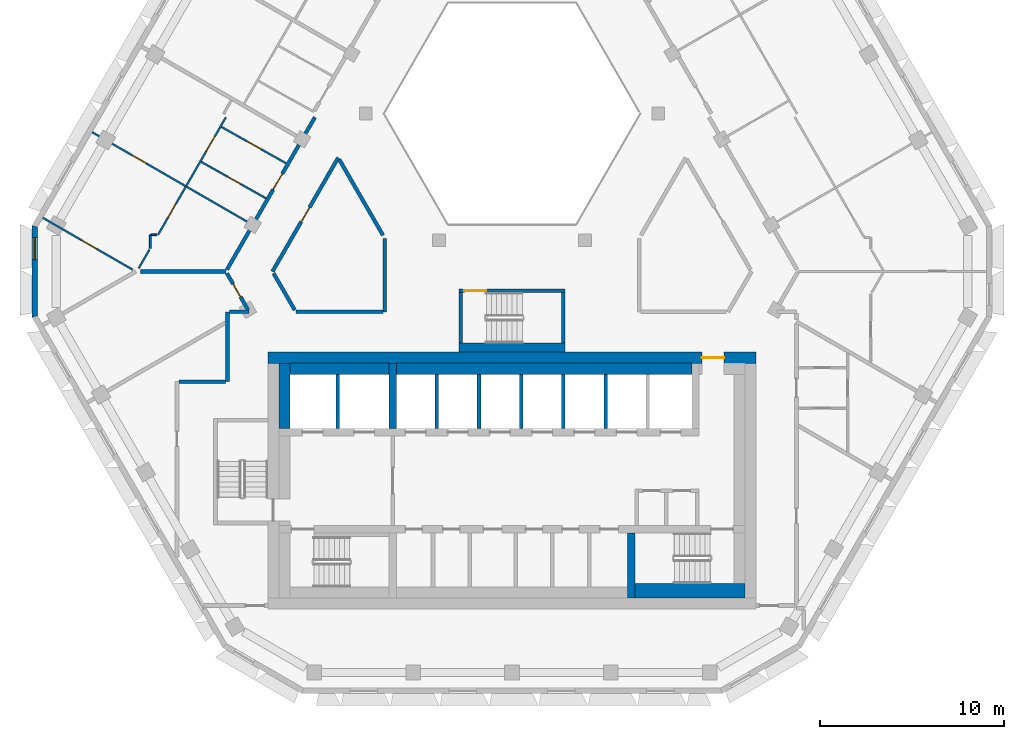
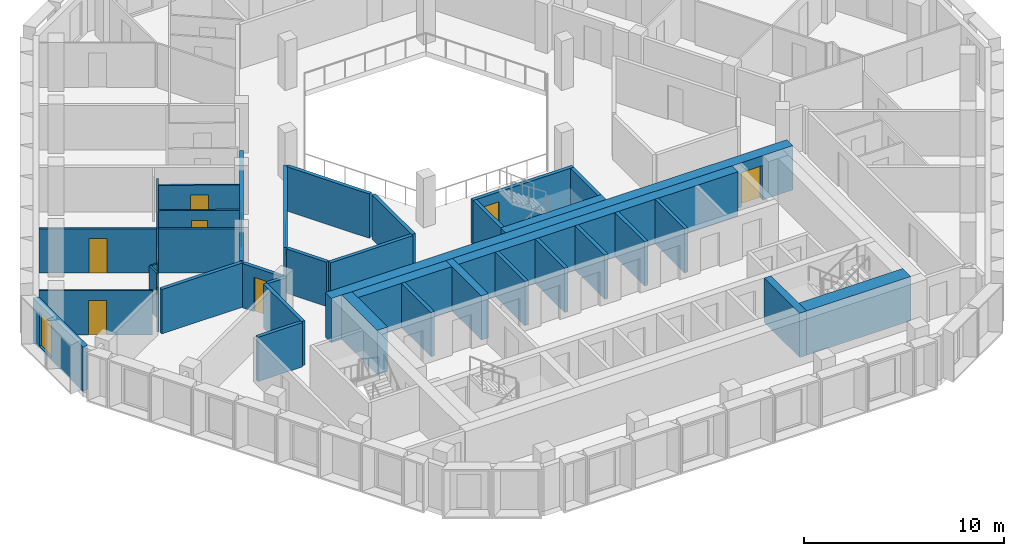
# One storey, part 4 of 15: 38 walls, 11 doors, 1 window, 12 openings.
"""IFC4 building model written with IfcOpenShell, lengths in metres."""

from ifc_helpers import new_model, si_unit, direction, frame, frame_2d, origin, place, context, subcontext, project, spatial, polyline, rectangle, outline, extrude, material, layer, layer_set, type_object, element, fill, save


model = new_model("IFC4")

# Units and contexts
model_context = context("Model", 3, precision=1e-05, world=origin(), true_north=direction((0.0, 1.0)))
body_context = subcontext(model_context, "Body", "Model", "MODEL_VIEW")
ifc_project = project(units=[si_unit("LENGTHUNIT", "METRE"), si_unit("AREAUNIT", "SQUARE_METRE"), si_unit("VOLUMEUNIT", "CUBIC_METRE"), si_unit("PLANEANGLEUNIT", "RADIAN"), si_unit("MASSUNIT", "GRAM", prefix="KILO")], contexts=[model_context])

# Site, building, storey
site_placement = place(None, origin())
site = spatial("IfcSite", under=ifc_project, at=site_placement, CompositionType="ELEMENT")
building_placement = place(site_placement, origin())
building = spatial("IfcBuilding", under=site, at=building_placement, Name="Beryl Residences", CompositionType="ELEMENT")
storey_placement = place(building_placement, frame((0.0, 0.0, 169.199951171875)))
storey = spatial("IfcBuildingStorey", under=building, at=storey_placement, Name="L51", CompositionType="ELEMENT", Elevation=169.199951171875)

# Wall, opening, window
ifc_material_1 = material(Name="Composite metal panel with mineral wool insulation")
ifc_layer_1 = layer(ifc_material_1, 0.300048828125)
ifc_layer_set_1 = layer_set([ifc_layer_1], Name="ES1 pale metal composite panel wall 300 mm")
wall_type_1 = type_object("IfcWallType", Name="ES1 pale metal composite panel wall 300 mm", PredefinedType="SOLIDWALL", material=ifc_layer_set_1)
wall_1_placement = place(storey_placement, frame((-26.00390625, 1.89990234375, 0.0), z_axis=(0.0, 0.0, 1.0), x_axis=(0.0, -1.0, 0.0)))
wall_1 = element("IfcWall", 1, at=wall_1_placement, inside=storey, type_object=wall_type_1, Name="ES1 external wall L51 NW-SW", PredefinedType="SOLIDWALL", context=body_context, shape_type="SweptSolid", body=[
    extrude(outline(polyline([(0.0, -0.14990234375), (5.0, -0.14990234375), (4.919677734375, 0.14990234375), (0.080322265625, 0.14990234375), (0.0, -0.14990234375)])), origin(), (0.0, 0.0, 1.0), 2.699951171875),
])
opening_1_placement = place(wall_1_placement, frame((0.64990234375, 0.0, 0.14990234375)))
opening_1 = element("IfcOpeningElement", 2, at=opening_1_placement, cuts=wall_1, Name="Opening W2", PredefinedType="OPENING", context=body_context, shape_type="SweptSolid", body=[
    extrude(rectangle(XDim=1.199951171875, YDim=2.10009765625, at=frame_2d((0.60009765625, 1.050048828125))), frame((0.0, 0.159912109375, 0.0), z_axis=(0.0, -1.0, 0.0), x_axis=(1.0, 0.0, 0.0)), (0.0, 0.0, 1.0), 0.320068359375),
])
ifc_material_2 = material(Name="Aluminium and clear glass", Category="aluminium")
window_type = type_object("IfcWindowType", Name="W2 chamfer window 1200 x 2100 mm", PartitioningType="SINGLE_PANEL", PredefinedType="WINDOW", material=ifc_material_2)
window_placement = place(opening_1_placement, origin())
window = element("IfcWindow", 3, at=window_placement, inside=storey, type_object=window_type, Name="W2 window L51 NW-SW 1", OverallHeight=2.10009765625, OverallWidth=1.199951171875, PartitioningType="SINGLE_PANEL", PredefinedType="WINDOW", context=body_context, shape_type="SweptSolid", body=[
    extrude(rectangle(XDim=1.199951171875, YDim=2.10009765625, at=frame_2d((0.60009765625, 1.050048828125))), frame((0.0, 0.030029296875, 0.0), z_axis=(0.0, -1.0, 0.0), x_axis=(1.0, 0.0, 0.0)), (0.0, 0.0, 1.0), 0.06005859375),
])
fill(opening_1, window)

# Wall, opening, door
ifc_material_3 = material(Name="Gypsum board partition on steel studs", Category="steel")
ifc_layer_2 = layer(ifc_material_3, 0.10009765625)
ifc_layer_set_2 = layer_set([ifc_layer_2], Name="PT1 partition 100 mm gypsum board on steel studs")
wall_type_2 = type_object("IfcWallType", Name="PT1 partition 100 mm gypsum board on steel studs", PredefinedType="PARTITIONING", material=ifc_layer_set_2)
wall_2_placement = place(storey_placement, frame((-16.931884765625, 5.3720703125, 0.0), z_axis=(0.0, 0.0, 1.0), x_axis=(0.871514356952, -0.490369988505, 0.0)))
wall_2 = element("IfcWall", 4, at=wall_2_placement, inside=storey, type_object=wall_type_2, Name="Wall PT1 L51 010", PredefinedType="PARTITIONING", context=body_context, shape_type="SweptSolid", body=[
    extrude(rectangle(XDim=4.05029296875, YDim=0.10009765625, at=frame_2d((2.025146484375, 0.0))), origin(), (0.0, 0.0, 1.0), 2.699951171875),
])
opening_2_placement = place(wall_2_placement, frame((1.64990234375, 0.0, 0.0)))
opening_2 = element("IfcOpeningElement", 5, at=opening_2_placement, cuts=wall_2, Name="Opening D1603", PredefinedType="OPENING", context=body_context, shape_type="SweptSolid", body=[
    extrude(rectangle(XDim=0.800048828125, YDim=2.10009765625, at=frame_2d((0.39990234375, 1.050048828125))), frame((0.0, 0.06005859375, 0.0), z_axis=(0.0, -1.0, 0.0), x_axis=(1.0, 0.0, 0.0)), (0.0, 0.0, 1.0), 0.1201171875),
])
ifc_material_4 = material(Name="Timber door leaf", Category="wood")
door_type_1 = type_object("IfcDoorType", Name="D3 bathroom door 800 x 2100 mm", OperationType="SINGLE_SWING_LEFT", PredefinedType="DOOR", material=ifc_material_4)
door_1_placement = place(opening_2_placement, origin())
door_1 = element("IfcDoor", 6, at=door_1_placement, inside=storey, type_object=door_type_1, Name="Door D1603 L51 001", OperationType="SINGLE_SWING_LEFT", OverallHeight=2.10009765625, OverallWidth=0.800048828125, PredefinedType="DOOR", context=body_context, shape_type="SweptSolid", body=[
    extrude(rectangle(XDim=0.800048828125, YDim=2.10009765625, at=frame_2d((0.39990234375, 1.050048828125))), frame((0.0, 0.02490234375, 0.0), z_axis=(0.0, -1.0, 0.0), x_axis=(1.0, 0.0, 0.0)), (0.0, 0.0, 1.0), 0.050048828125),
])
fill(opening_2, door_1)

wall_3_placement = place(storey_placement, frame((-15.83203125, 7.277099609375, 0.0), z_axis=(0.0, 0.0, 1.0), x_axis=(0.871528850672, -0.490344228523, 0.0)))
wall_3 = element("IfcWall", 7, at=wall_3_placement, inside=storey, type_object=wall_type_2, Name="Wall PT1 L51 011", PredefinedType="PARTITIONING", context=body_context, shape_type="SweptSolid", body=[
    extrude(rectangle(XDim=4.05029296875, YDim=0.10009765625, at=frame_2d((2.025146484375, 0.0))), origin(), (0.0, 0.0, 1.0), 2.699951171875),
])
opening_3_placement = place(wall_3_placement, frame((1.60009765625, 0.0, 0.0)))
opening_3 = element("IfcOpeningElement", 8, at=opening_3_placement, cuts=wall_3, Name="Opening D1602", PredefinedType="OPENING", context=body_context, shape_type="SweptSolid", body=[
    extrude(rectangle(XDim=0.89990234375, YDim=2.10009765625, at=frame_2d((0.449951171875, 1.050048828125))), frame((0.0, 0.06005859375, 0.0), z_axis=(0.0, -1.0, 0.0), x_axis=(1.0, 0.0, 0.0)), (0.0, 0.0, 1.0), 0.1201171875),
])
ifc_material_5 = material(Name="Timber door leaf", Category="wood")
door_type_2 = type_object("IfcDoorType", Name="D2 room door 900 x 2100 mm", OperationType="SINGLE_SWING_LEFT", PredefinedType="DOOR", material=ifc_material_5)
door_2_placement = place(opening_3_placement, origin())
door_2 = element("IfcDoor", 9, at=door_2_placement, inside=storey, type_object=door_type_2, Name="Door D1602 L51 001", OperationType="SINGLE_SWING_RIGHT", OverallHeight=2.10009765625, OverallWidth=0.89990234375, PredefinedType="DOOR", context=body_context, shape_type="SweptSolid", body=[
    extrude(rectangle(XDim=0.89990234375, YDim=2.10009765625, at=frame_2d((0.449951171875, 1.050048828125))), frame((0.0, 0.02490234375, 0.0), z_axis=(0.0, -1.0, 0.0), x_axis=(1.0, 0.0, 0.0)), (0.0, 0.0, 1.0), 0.050048828125),
])
fill(opening_3, door_2)

wall_4_placement = place(storey_placement, frame((-22.8701171875, 6.987060546875, 0.0), z_axis=(0.0, 0.0, 1.0), x_axis=(0.866022959057, -0.500004234368, 0.0)))
wall_4 = element("IfcWall", 10, at=wall_4_placement, inside=storey, type_object=wall_type_2, Name="Wall PT1 L51 012", PredefinedType="PARTITIONING", context=body_context, shape_type="SweptSolid", body=[
    extrude(rectangle(XDim=10.0, YDim=0.10009765625, at=frame_2d((5.0, 0.0))), origin(), (0.0, 0.0, 1.0), 2.699951171875),
])
opening_4_placement = place(wall_4_placement, frame((2.5, 0.0, 0.0)))
opening_4 = element("IfcOpeningElement", 11, at=opening_4_placement, cuts=wall_4, Name="Opening D1605", PredefinedType="OPENING", context=body_context, shape_type="SweptSolid", body=[
    extrude(rectangle(XDim=0.89990234375, YDim=2.10009765625, at=frame_2d((0.449951171875, 1.050048828125))), frame((0.0, 0.06005859375, 0.0), z_axis=(0.0, -1.0, 0.0), x_axis=(1.0, 0.0, 0.0)), (0.0, 0.0, 1.0), 0.1201171875),
])
door_3_placement = place(opening_4_placement, origin())
door_3 = element("IfcDoor", 12, at=door_3_placement, inside=storey, type_object=door_type_2, Name="Door D1605 L51 001", OperationType="SINGLE_SWING_LEFT", OverallHeight=2.10009765625, OverallWidth=0.89990234375, PredefinedType="DOOR", context=body_context, shape_type="SweptSolid", body=[
    extrude(rectangle(XDim=0.89990234375, YDim=2.10009765625, at=frame_2d((0.449951171875, 1.050048828125))), frame((0.0, 0.02490234375, 0.0), z_axis=(0.0, -1.0, 0.0), x_axis=(1.0, 0.0, 0.0)), (0.0, 0.0, 1.0), 0.050048828125),
])
fill(opening_4, door_3)

wall_5_placement = place(storey_placement, frame((-25.56201171875, 2.324951171875, 0.0), z_axis=(0.0, 0.0, 1.0), x_axis=(0.865998530728, -0.500046542611, 0.0)))
wall_5 = element("IfcWall", 13, at=wall_5_placement, inside=storey, type_object=wall_type_2, Name="Wall PT1 L51 013", PredefinedType="PARTITIONING", context=body_context, shape_type="SweptSolid", body=[
    extrude(rectangle(XDim=5.6513671875, YDim=0.10009765625, at=frame_2d((2.82568359375, 0.0))), origin(), (0.0, 0.0, 1.0), 2.699951171875),
])
opening_5_placement = place(wall_5_placement, frame((2.47607421875, 0.0, 0.0)))
opening_5 = element("IfcOpeningElement", 14, at=opening_5_placement, cuts=wall_5, Name="Opening D1606", PredefinedType="OPENING", context=body_context, shape_type="SweptSolid", body=[
    extrude(rectangle(XDim=0.89990234375, YDim=2.10009765625, at=frame_2d((0.449951171875, 1.050048828125))), frame((0.0, 0.06005859375, 0.0), z_axis=(0.0, -1.0, 0.0), x_axis=(1.0, 0.0, 0.0)), (0.0, 0.0, 1.0), 0.1201171875),
])
door_4_placement = place(opening_5_placement, origin())
door_4 = element("IfcDoor", 15, at=door_4_placement, inside=storey, type_object=door_type_2, Name="Door D1606 L51 001", OperationType="SINGLE_SWING_RIGHT", OverallHeight=2.10009765625, OverallWidth=0.89990234375, PredefinedType="DOOR", context=body_context, shape_type="SweptSolid", body=[
    extrude(rectangle(XDim=0.89990234375, YDim=2.10009765625, at=frame_2d((0.449951171875, 1.050048828125))), frame((0.0, 0.02490234375, 0.0), z_axis=(0.0, -1.0, 0.0), x_axis=(1.0, 0.0, 0.0)), (0.0, 0.0, 1.0), 0.050048828125),
])
fill(opening_5, door_4)

# Walls
wall_6_placement = place(storey_placement, frame((-19.64990234375, 1.39990234375, 0.0), z_axis=(0.0, 0.0, 1.0), x_axis=(1.0, 0.0, 0.0)))
element("IfcWall", 16, at=wall_6_placement, inside=storey, type_object=wall_type_2, Name="Wall PT1 L51 021", PredefinedType="PARTITIONING", context=body_context, shape_type="SweptSolid", body=[
    extrude(rectangle(XDim=0.308837890625, YDim=0.10009765625, at=frame_2d((0.154296875, 0.0))), origin(), (0.0, 0.0, 1.0), 2.699951171875),
])
wall_7_placement = place(storey_placement, frame((-20.337890625, -0.427001953125, 0.0), z_axis=(0.0, 0.0, 1.0), x_axis=(0.500069990121, 0.865984991198, 0.0)))
element("IfcWall", 17, at=wall_7_placement, inside=storey, type_object=wall_type_2, Name="Wall PT1 L51 028", PredefinedType="PARTITIONING", context=body_context, shape_type="SweptSolid", body=[
    extrude(rectangle(XDim=1.175537109375, YDim=0.10009765625, at=frame_2d((0.587890625, 0.0))), origin(), (0.0, 0.0, 1.0), 2.699951171875),
])

# Wall, opening, door
wall_8_placement = place(storey_placement, frame((-19.282958984375, 1.39990234375, 0.0), z_axis=(0.0, 0.0, 1.0), x_axis=(0.499847391584, 0.866113494368, 0.0)))
wall_8 = element("IfcWall", 18, at=wall_8_placement, inside=storey, type_object=wall_type_2, Name="Wall PT1 L51 029", PredefinedType="PARTITIONING", context=body_context, shape_type="SweptSolid", body=[
    extrude(rectangle(XDim=3.044921875, YDim=0.10009765625, at=frame_2d((1.5224609375, 0.0))), origin(), (0.0, 0.0, 1.0), 2.699951171875),
])
opening_6_placement = place(wall_8_placement, frame((1.123046875, 0.0, 0.0)))
opening_6 = element("IfcOpeningElement", 19, at=opening_6_placement, cuts=wall_8, Name="Opening D1607", PredefinedType="OPENING", context=body_context, shape_type="SweptSolid", body=[
    extrude(rectangle(XDim=0.800048828125, YDim=2.10009765625, at=frame_2d((0.39990234375, 1.050048828125))), frame((0.0, 0.06005859375, 0.0), z_axis=(0.0, -1.0, 0.0), x_axis=(1.0, 0.0, 0.0)), (0.0, 0.0, 1.0), 0.1201171875),
])
door_5_placement = place(opening_6_placement, origin())
door_5 = element("IfcDoor", 20, at=door_5_placement, inside=storey, type_object=door_type_1, Name="Door D1607 L51 001", OperationType="SINGLE_SWING_LEFT", OverallHeight=2.10009765625, OverallWidth=0.800048828125, PredefinedType="DOOR", context=body_context, shape_type="SweptSolid", body=[
    extrude(rectangle(XDim=0.800048828125, YDim=2.10009765625, at=frame_2d((0.39990234375, 1.050048828125))), frame((0.0, 0.02490234375, 0.0), z_axis=(0.0, -1.0, 0.0), x_axis=(1.0, 0.0, 0.0)), (0.0, 0.0, 1.0), 0.050048828125),
])
fill(opening_6, door_5)

# Wall
wall_9_placement = place(storey_placement, frame((-19.699951171875, 0.677978515625, 0.0), z_axis=(0.0, 0.0, 1.0), x_axis=(0.0, 1.0, 0.0)))
element("IfcWall", 21, at=wall_9_placement, inside=storey, type_object=wall_type_2, Name="Wall PT1 L51 039", PredefinedType="PARTITIONING", context=body_context, shape_type="SweptSolid", body=[
    extrude(rectangle(XDim=0.721923828125, YDim=0.10009765625, at=frame_2d((0.36083984375, 0.0))), origin(), (0.0, 0.0, 1.0), 2.699951171875),
])

# Wall, opening, door
wall_10_placement = place(storey_placement, frame((-17.760986328125, 4.037109375, 0.0), z_axis=(0.0, 0.0, 1.0), x_axis=(0.50009692756, 0.865969435399, 0.0)))
wall_10 = element("IfcWall", 22, at=wall_10_placement, inside=storey, type_object=wall_type_2, Name="Wall PT1 L51 046", PredefinedType="PARTITIONING", context=body_context, shape_type="SweptSolid", body=[
    extrude(rectangle(XDim=4.345458984375, YDim=0.10009765625, at=frame_2d((2.1728515625, 0.0))), origin(), (0.0, 0.0, 1.0), 2.699951171875),
])
opening_7_placement = place(wall_10_placement, frame((2.219970703125, 0.0, 0.0)))
opening_7 = element("IfcOpeningElement", 23, at=opening_7_placement, cuts=wall_10, Name="Opening D1604", PredefinedType="OPENING", context=body_context, shape_type="SweptSolid", body=[
    extrude(rectangle(XDim=0.89990234375, YDim=2.10009765625, at=frame_2d((0.449951171875, 1.050048828125))), frame((0.0, 0.06005859375, 0.0), z_axis=(0.0, -1.0, 0.0), x_axis=(1.0, 0.0, 0.0)), (0.0, 0.0, 1.0), 0.1201171875),
])
door_6_placement = place(opening_7_placement, origin())
door_6 = element("IfcDoor", 24, at=door_6_placement, inside=storey, type_object=door_type_2, Name="Door D1604 L51 001", OperationType="SINGLE_SWING_RIGHT", OverallHeight=2.10009765625, OverallWidth=0.89990234375, PredefinedType="DOOR", context=body_context, shape_type="SweptSolid", body=[
    extrude(rectangle(XDim=0.89990234375, YDim=2.10009765625, at=frame_2d((0.449951171875, 1.050048828125))), frame((0.0, 0.02490234375, 0.0), z_axis=(0.0, -1.0, 0.0), x_axis=(1.0, 0.0, 0.0)), (0.0, 0.0, 1.0), 0.050048828125),
])
fill(opening_7, door_6)

# Walls
ifc_material_6 = material(Name="Acoustic double stud gypsum board wall")
ifc_layer_3 = layer(ifc_material_6, 0.199951171875)
ifc_layer_set_3 = layer_set([ifc_layer_3], Name="PT3 party wall 200 mm acoustic double stud")
wall_type_3 = type_object("IfcWallType", Name="PT3 party wall 200 mm acoustic double stud", PredefinedType="PARTITIONING", material=ifc_layer_set_3)
wall_11_placement = place(storey_placement, frame((-20.238037109375, -0.60107421875, 0.0), z_axis=(0.0, 0.0, 1.0), x_axis=(1.0, 0.0, 0.0)))
element("IfcWall", 25, at=wall_11_placement, inside=storey, type_object=wall_type_3, Name="Wall PT3 L51 007", PredefinedType="PARTITIONING", context=body_context, shape_type="SweptSolid", body=[
    extrude(rectangle(XDim=4.650146484375, YDim=0.199951171875, at=frame_2d((2.3251953125, 0.0))), origin(), (0.0, 0.0, 1.0), 2.699951171875),
])
ifc_material_7 = material(Name="Double stud gypsum board wall")
ifc_layer_4 = layer(ifc_material_7, 0.199951171875)
ifc_layer_set_4 = layer_set([ifc_layer_4], Name="PT4 corridor wall 200 mm double stud")
wall_type_4 = type_object("IfcWallType", Name="PT4 corridor wall 200 mm double stud", PredefinedType="PARTITIONING", material=ifc_layer_set_4)
wall_12_placement = place(storey_placement, frame((-9.410888671875, 5.5, 0.0), z_axis=(0.0, 0.0, 1.0), x_axis=(0.500018099276, -0.86601495391, 0.0)))
element("IfcWall", 26, at=wall_12_placement, inside=storey, type_object=wall_type_4, Name="Wall PT4 L51 001", PredefinedType="PARTITIONING", context=body_context, shape_type="SweptSolid", body=[
    extrude(rectangle(XDim=4.765380859375, YDim=0.199951171875, at=frame_2d((2.3828125, 0.0))), origin(), (0.0, 0.0, 1.0), 2.699951171875),
])
wall_13_placement = place(storey_placement, frame((-12.989990234375, -0.700927734375, 0.0), z_axis=(0.0, 0.0, 1.0), x_axis=(0.499972710878, -0.866041158593, 0.0)))
element("IfcWall", 27, at=wall_13_placement, inside=storey, type_object=wall_type_4, Name="Wall PT4 L51 002", PredefinedType="PARTITIONING", context=body_context, shape_type="SweptSolid", body=[
    extrude(rectangle(XDim=2.308349609375, YDim=0.199951171875, at=frame_2d((1.154296875, 0.0))), origin(), (0.0, 0.0, 1.0), 2.699951171875),
])

# Wall, opening, door
wall_14_placement = place(storey_placement, frame((-15.530029296875, -0.700927734375, 0.0), z_axis=(0.0, 0.0, 1.0), x_axis=(0.499972710878, -0.866041158593, 0.0)))
wall_14 = element("IfcWall", 28, at=wall_14_placement, inside=storey, type_object=wall_type_4, Name="Wall PT4 L51 003", PredefinedType="PARTITIONING", context=body_context, shape_type="SweptSolid", body=[
    extrude(rectangle(XDim=2.308349609375, YDim=0.199951171875, at=frame_2d((1.154296875, 0.0))), origin(), (0.0, 0.0, 1.0), 2.699951171875),
])
opening_8_placement = place(wall_14_placement, frame((0.674072265625, 0.0, 0.0)))
opening_8 = element("IfcOpeningElement", 29, at=opening_8_placement, cuts=wall_14, Name="Opening D1608", PredefinedType="OPENING", context=body_context, shape_type="SweptSolid", body=[
    extrude(rectangle(XDim=0.800048828125, YDim=2.10009765625, at=frame_2d((0.39990234375, 1.050048828125))), frame((0.0, 0.10986328125, 0.0), z_axis=(0.0, -1.0, 0.0), x_axis=(1.0, 0.0, 0.0)), (0.0, 0.0, 1.0), 0.219970703125),
])
door_7_placement = place(opening_8_placement, origin())
door_7 = element("IfcDoor", 30, at=door_7_placement, inside=storey, type_object=door_type_1, Name="Door D1608 L51 001", OperationType="SINGLE_SWING_RIGHT", OverallHeight=2.10009765625, OverallWidth=0.800048828125, PredefinedType="DOOR", context=body_context, shape_type="SweptSolid", body=[
    extrude(rectangle(XDim=0.800048828125, YDim=2.10009765625, at=frame_2d((0.39990234375, 1.050048828125))), frame((0.0, 0.02490234375, 0.0), z_axis=(0.0, -1.0, 0.0), x_axis=(1.0, 0.0, 0.0)), (0.0, 0.0, 1.0), 0.050048828125),
])
fill(opening_8, door_7)

# Walls
wall_15_placement = place(storey_placement, frame((-18.14892578125, -6.60009765625, 0.0), z_axis=(0.0, 0.0, 1.0), x_axis=(1.0, 0.0, 0.0)))
element("IfcWall", 31, at=wall_15_placement, inside=storey, type_object=wall_type_4, Name="Wall PT4 L51 008", PredefinedType="PARTITIONING", context=body_context, shape_type="SweptSolid", body=[
    extrude(rectangle(XDim=2.548828125, YDim=0.199951171875, at=frame_2d((1.2744140625, 0.0))), origin(), (0.0, 0.0, 1.0), 2.699951171875),
])
wall_16_placement = place(storey_placement, frame((-15.39892578125, -2.800048828125, 0.0), z_axis=(0.0, 0.0, 1.0), x_axis=(1.0, 0.0, 0.0)))
element("IfcWall", 32, at=wall_16_placement, inside=storey, type_object=wall_type_4, Name="Wall PT4 L51 010", PredefinedType="PARTITIONING", context=body_context, shape_type="SweptSolid", body=[
    extrude(rectangle(XDim=1.080810546875, YDim=0.199951171875, at=frame_2d((0.54052734375, 0.0))), origin(), (0.0, 0.0, 1.0), 2.699951171875),
])
wall_17_placement = place(storey_placement, frame((-11.778076171875, -2.800048828125, 0.0), z_axis=(0.0, 0.0, 1.0), x_axis=(1.0, 0.0, 0.0)))
element("IfcWall", 33, at=wall_17_placement, inside=storey, type_object=wall_type_4, Name="Wall PT4 L51 011", PredefinedType="PARTITIONING", context=body_context, shape_type="SweptSolid", body=[
    extrude(rectangle(XDim=4.75, YDim=0.199951171875, at=frame_2d((2.375, 0.0))), origin(), (0.0, 0.0, 1.0), 2.699951171875),
])

# Wall, opening, door
wall_18_placement = place(storey_placement, frame((-13.048095703125, -0.60107421875, 0.0), z_axis=(0.0, 0.0, 1.0), x_axis=(0.499982180423, 0.866035691677, 0.0)))
wall_18 = element("IfcWall", 34, at=wall_18_placement, inside=storey, type_object=wall_type_4, Name="Wall PT4 L51 018", PredefinedType="PARTITIONING", context=body_context, shape_type="SweptSolid", body=[
    extrude(rectangle(XDim=7.160400390625, YDim=0.199951171875, at=frame_2d((3.580078125, 0.0))), origin(), (0.0, 0.0, 1.0), 2.699951171875),
])
opening_9_placement = place(wall_18_placement, frame((3.1298828125, 0.0, 0.0)))
opening_9 = element("IfcOpeningElement", 35, at=opening_9_placement, cuts=wall_18, Name="Opening D1642", PredefinedType="OPENING", context=body_context, shape_type="SweptSolid", body=[
    extrude(rectangle(XDim=0.89990234375, YDim=2.10009765625, at=frame_2d((0.449951171875, 1.050048828125))), frame((0.0, 0.10986328125, 0.0), z_axis=(0.0, -1.0, 0.0), x_axis=(1.0, 0.0, 0.0)), (0.0, 0.0, 1.0), 0.219970703125),
])
door_8_placement = place(opening_9_placement, origin())
door_8 = element("IfcDoor", 36, at=door_8_placement, inside=storey, type_object=door_type_2, Name="Door D1642 L51 001", OperationType="SINGLE_SWING_RIGHT", OverallHeight=2.10009765625, OverallWidth=0.89990234375, PredefinedType="DOOR", context=body_context, shape_type="SweptSolid", body=[
    extrude(rectangle(XDim=0.89990234375, YDim=2.10009765625, at=frame_2d((0.449951171875, 1.050048828125))), frame((0.0, 0.02490234375, 0.0), z_axis=(0.0, -1.0, 0.0), x_axis=(1.0, 0.0, 0.0)), (0.0, 0.0, 1.0), 0.050048828125),
])
fill(opening_9, door_8)

wall_19_placement = place(storey_placement, frame((-15.530029296875, -0.5009765625, 0.0), z_axis=(0.0, 0.0, 1.0), x_axis=(0.499952498232, 0.866052827206, 0.0)))
wall_19 = element("IfcWall", 37, at=wall_19_placement, inside=storey, type_object=wall_type_4, Name="Wall PT4 L51 019", PredefinedType="PARTITIONING", context=body_context, shape_type="SweptSolid", body=[
    extrude(rectangle(XDim=9.5849609375, YDim=0.199951171875, at=frame_2d((4.79248046875, 0.0))), origin(), (0.0, 0.0, 1.0), 2.699951171875),
])
opening_10_placement = place(wall_19_placement, frame((5.031005859375, 0.0, 0.0)))
opening_10 = element("IfcOpeningElement", 38, at=opening_10_placement, cuts=wall_19, Name="Opening D1601", PredefinedType="OPENING", context=body_context, shape_type="SweptSolid", body=[
    extrude(rectangle(XDim=1.0, YDim=2.10009765625, at=frame_2d((0.5, 1.050048828125))), frame((0.0, 0.10986328125, 0.0), z_axis=(0.0, -1.0, 0.0), x_axis=(1.0, 0.0, 0.0)), (0.0, 0.0, 1.0), 0.219970703125),
])
ifc_material_8 = material(Name="Timber door leaf", Category="wood")
door_type_3 = type_object("IfcDoorType", Name="D1 flat entrance door 1000 x 2100 mm", OperationType="SINGLE_SWING_LEFT", PredefinedType="DOOR", material=ifc_material_8)
door_9_placement = place(opening_10_placement, origin())
door_9 = element("IfcDoor", 39, at=door_9_placement, inside=storey, type_object=door_type_3, Name="Door D1601 L51 001", OperationType="SINGLE_SWING_LEFT", OverallHeight=2.10009765625, OverallWidth=1.0, PredefinedType="DOOR", context=body_context, shape_type="SweptSolid", body=[
    extrude(rectangle(XDim=1.0, YDim=2.10009765625, at=frame_2d((0.5, 1.050048828125))), frame((0.0, 0.02490234375, 0.0), z_axis=(0.0, -1.0, 0.0), x_axis=(1.0, 0.0, 0.0)), (0.0, 0.0, 1.0), 0.050048828125),
])
fill(opening_10, door_9)

# Walls
wall_20_placement = place(storey_placement, frame((-6.927978515625, -2.800048828125, 0.0), z_axis=(0.0, 0.0, 1.0), x_axis=(0.0, 1.0, 0.0)))
element("IfcWall", 40, at=wall_20_placement, inside=storey, type_object=wall_type_4, Name="Wall PT4 L51 023", PredefinedType="PARTITIONING", context=body_context, shape_type="SweptSolid", body=[
    extrude(rectangle(XDim=4.0, YDim=0.199951171875, at=frame_2d((2.0, 0.0))), origin(), (0.0, 0.0, 1.0), 2.699951171875),
])
wall_21_placement = place(storey_placement, frame((-15.5, -6.60009765625, 0.0), z_axis=(0.0, 0.0, 1.0), x_axis=(0.0, 1.0, 0.0)))
element("IfcWall", 41, at=wall_21_placement, inside=storey, type_object=wall_type_4, Name="Wall PT4 L51 024", PredefinedType="PARTITIONING", context=body_context, shape_type="SweptSolid", body=[
    extrude(rectangle(XDim=3.799072265625, YDim=0.199951171875, at=frame_2d((1.8994140625, 0.0))), origin(), (0.0, 0.0, 1.0), 2.699951171875),
])

# Wall, opening, door
ifc_material_9 = material(Name="Concrete C40/50", Category="concrete")
ifc_layer_5 = layer(ifc_material_9, 0.199951171875)
ifc_layer_set_5 = layer_set([ifc_layer_5], Name="PT5 stair enclosure wall 200 mm reinforced concrete C40/50")
wall_type_5 = type_object("IfcWallType", Name="PT5 stair enclosure wall 200 mm reinforced concrete C40/50", PredefinedType="SOLIDWALL", material=ifc_layer_set_5)
wall_22_placement = place(storey_placement, frame((-2.89990234375, -1.64990234375, 0.0), z_axis=(0.0, 0.0, 1.0), x_axis=(1.0, 0.0, 0.0)))
wall_22 = element("IfcWall", 42, at=wall_22_placement, inside=storey, type_object=wall_type_5, Name="Wall PT5 L51 001", PredefinedType="SOLIDWALL", context=body_context, shape_type="SweptSolid", body=[
    extrude(rectangle(XDim=5.7998046875, YDim=0.199951171875, at=frame_2d((2.89990234375, 0.0))), origin(), (0.0, 0.0, 1.0), 2.699951171875),
])
opening_11_placement = place(wall_22_placement, frame((0.300048828125, 0.0, 0.0)))
opening_11 = element("IfcOpeningElement", 43, at=opening_11_placement, cuts=wall_22, Name="Opening DS04", PredefinedType="OPENING", context=body_context, shape_type="SweptSolid", body=[
    extrude(rectangle(XDim=1.199951171875, YDim=2.10009765625, at=frame_2d((0.60009765625, 1.050048828125))), frame((0.0, 0.10986328125, 0.0), z_axis=(0.0, -1.0, 0.0), x_axis=(1.0, 0.0, 0.0)), (0.0, 0.0, 1.0), 0.219970703125),
])
ifc_material_10 = material(Name="Steel door leaf in steel frame", Category="steel")
door_type_4 = type_object("IfcDoorType", Name="D4 stair door 1200 x 2100 mm", OperationType="SINGLE_SWING_LEFT", PredefinedType="DOOR", material=ifc_material_10)
door_10_placement = place(opening_11_placement, origin())
door_10 = element("IfcDoor", 44, at=door_10_placement, inside=storey, type_object=door_type_4, Name="Door DS04 L51 001", OperationType="SINGLE_SWING_LEFT", OverallHeight=2.10009765625, OverallWidth=1.199951171875, PredefinedType="DOOR", context=body_context, shape_type="SweptSolid", body=[
    extrude(rectangle(XDim=1.199951171875, YDim=2.10009765625, at=frame_2d((0.60009765625, 1.050048828125))), frame((0.0, 0.02490234375, 0.0), z_axis=(0.0, -1.0, 0.0), x_axis=(1.0, 0.0, 0.0)), (0.0, 0.0, 1.0), 0.050048828125),
])
fill(opening_11, door_10)

# Walls
for number, where, z_axis, x_axis, name in (
    (45, (-2.800048828125, -4.5, 0.0), (0.0, 0.0, 1.0), (0.0, 1.0, 0.0), "Wall PT5 L51 002"),
    (46, (2.800048828125, -4.5, 0.0), (0.0, 0.0, 1.0), (0.0, 1.0, 0.0), "Wall PT5 L51 003"),
):
    element("IfcWall", number, at=place(storey_placement, frame(where, z_axis=z_axis, x_axis=x_axis)), inside=storey, type_object=wall_type_5, Name=name, PredefinedType="SOLIDWALL", context=body_context, shape_type="SweptSolid", body=[
        extrude(rectangle(XDim=2.75, YDim=0.199951171875, at=frame_2d((1.375, 0.0))), origin(), (0.0, 0.0, 1.0), 2.699951171875),
    ])
ifc_material_11 = material(Name="Concrete C40/50", Category="concrete")
ifc_layer_6 = layer(ifc_material_11, 0.5)
ifc_layer_set_6 = layer_set([ifc_layer_6], Name="PT5-500 stair enclosure wall 500 mm")
wall_type_6 = type_object("IfcWallType", Name="PT5-500 stair enclosure wall 500 mm", PredefinedType="SOLIDWALL", material=ifc_layer_set_6)
wall_23_placement = place(storey_placement, frame((-2.89990234375, -4.75, 0.0), z_axis=(0.0, 0.0, 1.0), x_axis=(1.0, 0.0, 0.0)))
element("IfcWall", 47, at=wall_23_placement, inside=storey, type_object=wall_type_6, Name="Wall PT5-500 L51 001", PredefinedType="SOLIDWALL", context=body_context, shape_type="SweptSolid", body=[
    extrude(rectangle(XDim=5.7998046875, YDim=0.5, at=frame_2d((2.89990234375, 0.0))), origin(), (0.0, 0.0, 1.0), 2.699951171875),
])
ifc_material_12 = material(Name="Concrete C40/50", Category="concrete")
ifc_layer_7 = layer(ifc_material_12, 0.800048828125)
ifc_layer_set_7 = layer_set([ifc_layer_7], Name="PT5-800 stair enclosure wall 800 mm")
wall_type_7 = type_object("IfcWallType", Name="PT5-800 stair enclosure wall 800 mm", PredefinedType="SOLIDWALL", material=ifc_layer_set_7)
wall_24_placement = place(storey_placement, frame((6.699951171875, -18.0, 0.0), z_axis=(0.0, 0.0, 1.0), x_axis=(1.0, 0.0, 0.0)))
element("IfcWall", 48, at=wall_24_placement, inside=storey, type_object=wall_type_7, Name="Stair wall 25", PredefinedType="SOLIDWALL", context=body_context, shape_type="SweptSolid", body=[
    extrude(rectangle(XDim=6.0, YDim=0.800048828125, at=frame_2d((3.0, 0.0))), origin(), (0.0, 0.0, 1.0), 2.699951171875),
])
ifc_material_13 = material(Name="Concrete C40/50", Category="concrete")
ifc_layer_8 = layer(ifc_material_13, 0.199951171875)
ifc_layer_set_8 = layer_set([ifc_layer_8], Name="PT6 lift shaft wall 200 mm reinforced concrete C40/50")
wall_type_8 = type_object("IfcWallType", Name="PT6 lift shaft wall 200 mm reinforced concrete C40/50", PredefinedType="SOLIDWALL", material=ifc_layer_set_8)
for number, where, z_axis, x_axis, name in (
    (49, (-9.5, -9.14990234375, 0.0), (0.0, 0.0, 1.0), (0.0, 1.0, 0.0), "Lift shaft wall 11"),
    (50, (-4.10009765625, -9.14990234375, 0.0), (0.0, 0.0, 1.0), (0.0, 1.0, 0.0), "Lift shaft wall 16"),
    (51, (-1.800048828125, -9.14990234375, 0.0), (0.0, 0.0, 1.0), (0.0, 1.0, 0.0), "Lift shaft wall 18"),
    (52, (0.5, -9.14990234375, 0.0), (0.0, 0.0, 1.0), (0.0, 1.0, 0.0), "Lift shaft wall 20"),
    (53, (2.800048828125, -9.14990234375, 0.0), (0.0, 0.0, 1.0), (0.0, 1.0, 0.0), "Lift shaft wall 22"),
    (54, (5.10009765625, -9.14990234375, 0.0), (0.0, 0.0, 1.0), (0.0, 1.0, 0.0), "Lift shaft wall 24"),
):
    element("IfcWall", number, at=place(storey_placement, frame(where, z_axis=z_axis, x_axis=x_axis)), inside=storey, type_object=wall_type_8, Name=name, PredefinedType="SOLIDWALL", context=body_context, shape_type="SweptSolid", body=[
        extrude(rectangle(XDim=2.949951171875, YDim=0.199951171875, at=frame_2d((1.47509765625, 0.0))), origin(), (0.0, 0.0, 1.0), 2.699951171875),
    ])
ifc_material_14 = material(Name="Concrete C40/50", Category="concrete")
ifc_layer_9 = layer(ifc_material_14, 0.60009765625)
ifc_layer_set_9 = layer_set([ifc_layer_9], Name="PT6-600 lift shaft wall 600 mm")
wall_type_9 = type_object("IfcWallType", Name="PT6-600 lift shaft wall 600 mm", PredefinedType="SOLIDWALL", material=ifc_layer_set_9)
wall_25_placement = place(storey_placement, frame((-12.39990234375, -9.14990234375, 0.0), z_axis=(0.0, 0.0, 1.0), x_axis=(0.0, 1.0, 0.0)))
element("IfcWall", 55, at=wall_25_placement, inside=storey, type_object=wall_type_9, Name="Lift shaft wall 07", PredefinedType="SOLIDWALL", context=body_context, shape_type="SweptSolid", body=[
    extrude(rectangle(XDim=3.5498046875, YDim=0.60009765625, at=frame_2d((1.77490234375, 0.0))), origin(), (0.0, 0.0, 1.0), 2.699951171875),
])
wall_26_placement = place(storey_placement, frame((-12.10009765625, -5.89990234375, 0.0), z_axis=(0.0, 0.0, 1.0), x_axis=(1.0, 0.0, 0.0)))
element("IfcWall", 56, at=wall_26_placement, inside=storey, type_object=wall_type_9, Name="Lift shaft wall 09", PredefinedType="SOLIDWALL", context=body_context, shape_type="SweptSolid", body=[
    extrude(rectangle(XDim=5.400146484375, YDim=0.60009765625, at=frame_2d((2.7001953125, 0.0))), origin(), (0.0, 0.0, 1.0), 2.699951171875),
])
wall_27_placement = place(storey_placement, frame((-6.300048828125, -5.89990234375, 0.0), z_axis=(0.0, 0.0, 1.0), x_axis=(1.0, 0.0, 0.0)))
element("IfcWall", 57, at=wall_27_placement, inside=storey, type_object=wall_type_9, Name="Lift shaft wall 14", PredefinedType="SOLIDWALL", context=body_context, shape_type="SweptSolid", body=[
    extrude(rectangle(XDim=16.10009765625, YDim=0.60009765625, at=frame_2d((8.050048828125, 0.0))), origin(), (0.0, 0.0, 1.0), 2.699951171875),
])

# Wall, opening, door
ifc_material_15 = material(Name="Concrete C50/60", Category="concrete")
ifc_layer_10 = layer(ifc_material_15, 0.60009765625)
ifc_layer_set_10 = layer_set([ifc_layer_10], Name="SW4 core outer wall 600 mm C50/60")
wall_type_10 = type_object("IfcWallType", Name="SW4 core outer wall 600 mm C50/60", PredefinedType="SHEAR", material=ifc_layer_set_10)
wall_28_placement = place(storey_placement, frame((-13.300048828125, -5.300048828125, 0.0), z_axis=(0.0, 0.0, 1.0), x_axis=(1.0, 0.0, 0.0)))
wall_28 = element("IfcWall", 58, at=wall_28_placement, inside=storey, type_object=wall_type_10, Name="Core wall N L51", PredefinedType="SHEAR", context=body_context, shape_type="SweptSolid", body=[
    extrude(rectangle(XDim=26.60009765625, YDim=0.60009765625, at=frame_2d((13.300048828125, 0.0))), origin(), (0.0, 0.0, 1.0), 2.699951171875),
])
opening_12_placement = place(wall_28_placement, frame((23.64990234375, 0.0, 0.0)))
opening_12 = element("IfcOpeningElement", 59, at=opening_12_placement, cuts=wall_28, Name="Opening FD-NORTH", PredefinedType="OPENING", context=body_context, shape_type="SweptSolid", body=[
    extrude(rectangle(XDim=1.199951171875, YDim=2.10009765625, at=frame_2d((0.60009765625, 1.050048828125))), frame((0.0, 0.31005859375, 0.0), z_axis=(0.0, -1.0, 0.0), x_axis=(1.0, 0.0, 0.0)), (0.0, 0.0, 1.0), 0.6201171875),
])
ifc_material_16 = material(Name="Steel door leaf in steel frame", Category="steel")
door_type_5 = type_object("IfcDoorType", Name="D22 lobby door 1200 x 2100 mm", OperationType="DOUBLE_DOOR_SINGLE_SWING", PredefinedType="DOOR", material=ifc_material_16)
door_11_placement = place(opening_12_placement, origin())
door_11 = element("IfcDoor", 60, at=door_11_placement, inside=storey, type_object=door_type_5, Name="Door FD-NORTH L51 001", OperationType="DOUBLE_DOOR_SINGLE_SWING", OverallHeight=2.10009765625, OverallWidth=1.199951171875, PredefinedType="DOOR", context=body_context, shape_type="SweptSolid", body=[
    extrude(rectangle(XDim=1.199951171875, YDim=2.10009765625, at=frame_2d((0.60009765625, 1.050048828125))), frame((0.0, 0.02490234375, 0.0), z_axis=(0.0, -1.0, 0.0), x_axis=(1.0, 0.0, 0.0)), (0.0, 0.0, 1.0), 0.050048828125),
])
fill(opening_12, door_11)

# Walls
ifc_material_17 = material(Name="Concrete C50/60", Category="concrete")
ifc_layer_11 = layer(ifc_material_17, 0.39990234375)
ifc_layer_set_11 = layer_set([ifc_layer_11], Name="SW9 core internal wall 400 mm C50/60")
wall_type_11 = type_object("IfcWallType", Name="SW9 core internal wall 400 mm C50/60", PredefinedType="SHEAR", material=ifc_layer_set_11)
for number, where, z_axis, x_axis, name in (
    (61, (6.5, -18.39990234375, 0.0), (0.0, 0.0, 1.0), (0.0, 1.0, 0.0), "Core wall XS2 L51"),
    (62, (-6.5, -9.14990234375, 0.0), (0.0, 0.0, 1.0), (0.0, 1.0, 0.0), "Core wall XN1 L51"),
):
    element("IfcWall", number, at=place(storey_placement, frame(where, z_axis=z_axis, x_axis=x_axis)), inside=storey, type_object=wall_type_11, Name=name, PredefinedType="SHEAR", context=body_context, shape_type="SweptSolid", body=[
        extrude(rectangle(XDim=3.5498046875, YDim=0.39990234375, at=frame_2d((1.77490234375, 0.0))), origin(), (0.0, 0.0, 1.0), 2.699951171875),
    ])

save(model, "model.ifc")
